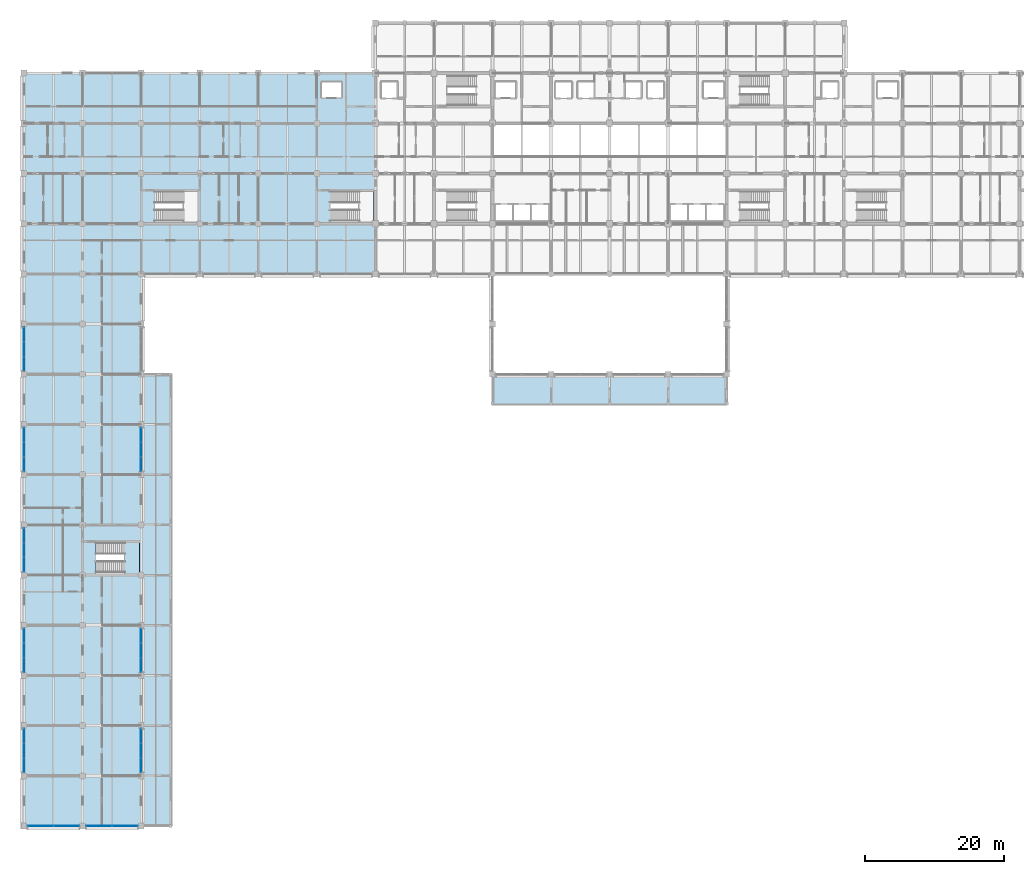
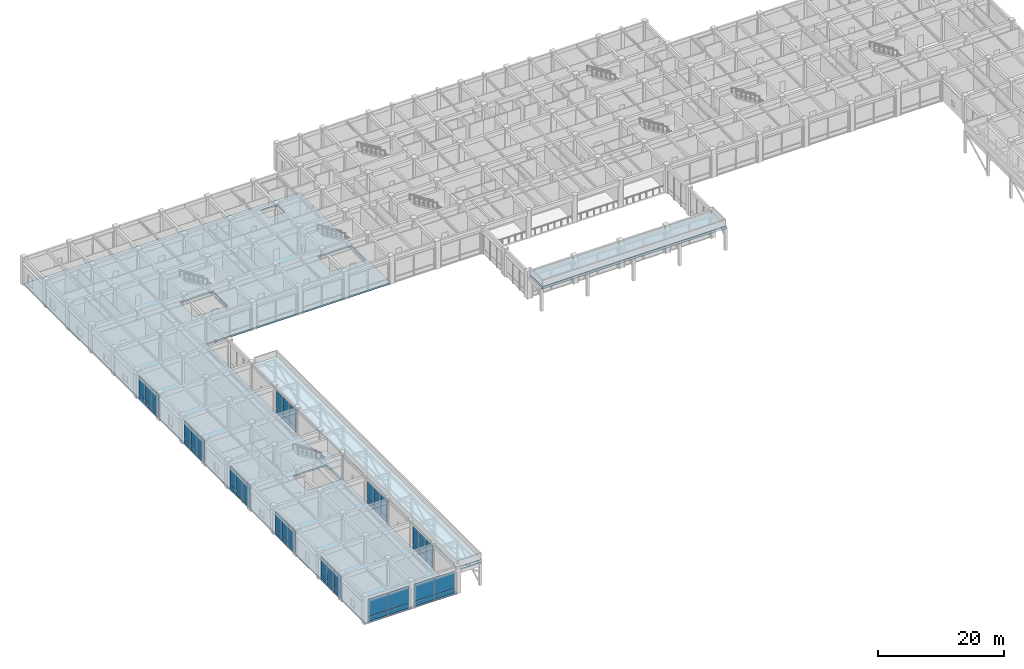
# One storey, part 29 of 68: 56 plates, 4 slabs, 11 elements without a shape of their own.
"""IFC4 building model written with IfcOpenShell, lengths in metres."""

from ifc_helpers import new_model, si_unit, direction, frame, origin, origin_2d, place, context, subcontext, project, spatial, polyline, rectangle, outline, extrude, material, layer, layer_set, type_object, element, aggregate, save


model = new_model("IFC4")

# Units and contexts
model_context = context("Model", 3, precision=1e-05, world=origin(), true_north=direction((0.0, 1.0)))
body_context = subcontext(model_context, "Body", "Model", "MODEL_VIEW")
ifc_project = project(units=[si_unit("LENGTHUNIT", "METRE"), si_unit("AREAUNIT", "SQUARE_METRE"), si_unit("VOLUMEUNIT", "CUBIC_METRE"), si_unit("PLANEANGLEUNIT", "RADIAN"), si_unit("MASSUNIT", "GRAM", prefix="KILO")], contexts=[model_context])

# Site, building, storey
site_placement = place(None, origin())
site = spatial("IfcSite", under=ifc_project, at=site_placement, CompositionType="ELEMENT")
building_placement = place(site_placement, origin())
building = spatial("IfcBuilding", under=site, at=building_placement, Name="Chengyuan Square Courthouse", CompositionType="ELEMENT")
storey_placement = place(building_placement, frame((0.0, 0.0, 5.39990234375)))
storey = spatial("IfcBuildingStorey", under=building, at=storey_placement, Name="L02", CompositionType="ELEMENT", Elevation=5.39990234375)

# Curtain wall, plates
ifc_material_1 = material(Name="Unitised Aluminium and Triple Low-E Glass", Category="aluminium")
ifc_layer_1 = layer(ifc_material_1, 0.219970703125)
ifc_layer_set_1 = layer_set([ifc_layer_1], Name="Unitised Aluminium and Triple Low-E Glass")
curtain_wall_type_1 = type_object("IfcCurtainWallType", Name="CW-04", PredefinedType="USERDEFINED", material=ifc_layer_set_1)
curtain_wall_1_placement = place(storey_placement, origin())
curtain_wall_1 = element("IfcCurtainWall", 1, at=curtain_wall_1_placement, inside=storey, type_object=curtain_wall_type_1, Name="Unitised Curtain Wall CW-L02-043", ObjectType="UNITISED CURTAIN WALL", PredefinedType="USERDEFINED")
ifc_material_2 = material(Name="Triple Low-E Insulating Glass", Category="glass")
ifc_layer_2 = layer(ifc_material_2, 0.052001953125)
ifc_layer_set_2 = layer_set([ifc_layer_2], Name="Triple Low-E Insulating Glass")
plate_type_1 = type_object("IfcPlateType", Name="CWP-04", PredefinedType="CURTAIN_PANEL", material=ifc_layer_set_2)
plate_1_placement = place(storey_placement, frame((2.33251953125, 0.0, 0.080078125), z_axis=(0.0, 0.0, 1.0), x_axis=(1.0, 0.0, 0.0)))
plate_1 = element("IfcPlate", 2, at=plate_1_placement, type_object=plate_type_1, Name="CW-04 panel 1.1", PredefinedType="CURTAIN_PANEL", context=body_context, shape_type="SweptSolid", body=[
    extrude(rectangle(XDim=3.655029296875, YDim=0.052001953125, at=origin_2d()), origin(), (0.0, 0.0, 1.0), 0.830078125),
])
plate_2_placement = place(storey_placement, frame((2.33251953125, 0.0, 0.989990234375), z_axis=(0.0, 0.0, 1.0), x_axis=(1.0, 0.0, 0.0)))
plate_2 = element("IfcPlate", 3, at=plate_2_placement, type_object=plate_type_1, Name="CW-04 panel 1.2", PredefinedType="CURTAIN_PANEL", context=body_context, shape_type="SweptSolid", body=[
    extrude(rectangle(XDim=3.655029296875, YDim=0.052001953125, at=origin_2d()), origin(), (0.0, 0.0, 1.0), 3.330078125),
])
plate_3_placement = place(storey_placement, frame((6.0673828125, 0.0, 0.080078125), z_axis=(0.0, 0.0, 1.0), x_axis=(1.0, 0.0, 0.0)))
plate_3 = element("IfcPlate", 4, at=plate_3_placement, type_object=plate_type_1, Name="CW-04 panel 2.1", PredefinedType="CURTAIN_PANEL", context=body_context, shape_type="SweptSolid", body=[
    extrude(rectangle(XDim=3.655029296875, YDim=0.052001953125, at=origin_2d()), origin(), (0.0, 0.0, 1.0), 0.830078125),
])
plate_4_placement = place(storey_placement, frame((6.0673828125, 0.0, 0.989990234375), z_axis=(0.0, 0.0, 1.0), x_axis=(1.0, 0.0, 0.0)))
plate_4 = element("IfcPlate", 5, at=plate_4_placement, type_object=plate_type_1, Name="CW-04 panel 2.2", PredefinedType="CURTAIN_PANEL", context=body_context, shape_type="SweptSolid", body=[
    extrude(rectangle(XDim=3.655029296875, YDim=0.052001953125, at=origin_2d()), origin(), (0.0, 0.0, 1.0), 3.330078125),
])
aggregate(curtain_wall_1, [plate_1, plate_2, plate_3, plate_4])

curtain_wall_2_placement = place(storey_placement, origin())
curtain_wall_2 = element("IfcCurtainWall", 6, at=curtain_wall_2_placement, inside=storey, type_object=curtain_wall_type_1, Name="Unitised Curtain Wall CW-L02-049", ObjectType="UNITISED CURTAIN WALL", PredefinedType="USERDEFINED")
plate_5_placement = place(storey_placement, frame((10.732421875, 0.0, 0.080078125), z_axis=(0.0, 0.0, 1.0), x_axis=(1.0, 0.0, 0.0)))
plate_5 = element("IfcPlate", 7, at=plate_5_placement, type_object=plate_type_1, Name="CW-04 panel 1.1", PredefinedType="CURTAIN_PANEL", context=body_context, shape_type="SweptSolid", body=[
    extrude(rectangle(XDim=3.655029296875, YDim=0.052001953125, at=origin_2d()), origin(), (0.0, 0.0, 1.0), 0.830078125),
])
plate_6_placement = place(storey_placement, frame((10.732421875, 0.0, 0.989990234375), z_axis=(0.0, 0.0, 1.0), x_axis=(1.0, 0.0, 0.0)))
plate_6 = element("IfcPlate", 8, at=plate_6_placement, type_object=plate_type_1, Name="CW-04 panel 1.2", PredefinedType="CURTAIN_PANEL", context=body_context, shape_type="SweptSolid", body=[
    extrude(rectangle(XDim=3.655029296875, YDim=0.052001953125, at=origin_2d()), origin(), (0.0, 0.0, 1.0), 3.330078125),
])
plate_7_placement = place(storey_placement, frame((14.467529296875, 0.0, 0.080078125), z_axis=(0.0, 0.0, 1.0), x_axis=(1.0, 0.0, 0.0)))
plate_7 = element("IfcPlate", 9, at=plate_7_placement, type_object=plate_type_1, Name="CW-04 panel 2.1", PredefinedType="CURTAIN_PANEL", context=body_context, shape_type="SweptSolid", body=[
    extrude(rectangle(XDim=3.655029296875, YDim=0.052001953125, at=origin_2d()), origin(), (0.0, 0.0, 1.0), 0.830078125),
])
plate_8_placement = place(storey_placement, frame((14.467529296875, 0.0, 0.989990234375), z_axis=(0.0, 0.0, 1.0), x_axis=(1.0, 0.0, 0.0)))
plate_8 = element("IfcPlate", 10, at=plate_8_placement, type_object=plate_type_1, Name="CW-04 panel 2.2", PredefinedType="CURTAIN_PANEL", context=body_context, shape_type="SweptSolid", body=[
    extrude(rectangle(XDim=3.655029296875, YDim=0.052001953125, at=origin_2d()), origin(), (0.0, 0.0, 1.0), 3.330078125),
])
aggregate(curtain_wall_2, [plate_5, plate_6, plate_7, plate_8])

ifc_layer_3 = layer(ifc_material_1, 0.159912109375)
ifc_layer_set_3 = layer_set([ifc_layer_3], Name="Unitised Aluminium and Triple Low-E Glass")
curtain_wall_type_2 = type_object("IfcCurtainWallType", Name="CW-17", PredefinedType="USERDEFINED", material=ifc_layer_set_3)
curtain_wall_3_placement = place(storey_placement, origin())
curtain_wall_3 = element("IfcCurtainWall", 11, at=curtain_wall_3_placement, inside=storey, type_object=curtain_wall_type_2, Name="Unitised Curtain Wall CW-L02-044", ObjectType="UNITISED CURTAIN WALL", PredefinedType="USERDEFINED")
ifc_layer_4 = layer(ifc_material_2, 0.06201171875)
ifc_layer_set_4 = layer_set([ifc_layer_4], Name="Triple Low-E Insulating Glass")
plate_type_2 = type_object("IfcPlateType", Name="CWP-05", PredefinedType="CURTAIN_PANEL", material=ifc_layer_set_4)
plate_9_placement = place(storey_placement, frame((0.0, 8.6982421875, 0.06005859375), z_axis=(0.0, 0.0, 1.0), x_axis=(0.0, 1.0, 0.0)))
plate_9 = element("IfcPlate", 12, at=plate_9_placement, type_object=plate_type_2, Name="CW-17 panel 1.1", PredefinedType="CURTAIN_PANEL", context=body_context, shape_type="SweptSolid", body=[
    extrude(rectangle(XDim=2.026611328125, YDim=0.06201171875, at=origin_2d()), origin(), (0.0, 0.0, 1.0), 0.860107421875),
])
plate_10_placement = place(storey_placement, frame((0.0, 8.6982421875, 0.97998046875), z_axis=(0.0, 0.0, 1.0), x_axis=(0.0, 1.0, 0.0)))
plate_10 = element("IfcPlate", 13, at=plate_10_placement, type_object=plate_type_2, Name="CW-17 panel 1.2", PredefinedType="CURTAIN_PANEL", context=body_context, shape_type="SweptSolid", body=[
    extrude(rectangle(XDim=2.026611328125, YDim=0.06201171875, at=origin_2d()), origin(), (0.0, 0.0, 1.0), 3.360107421875),
])
plate_11_placement = place(storey_placement, frame((0.0, 10.800048828125, 0.06005859375), z_axis=(0.0, 0.0, 1.0), x_axis=(0.0, 1.0, 0.0)))
plate_11 = element("IfcPlate", 14, at=plate_11_placement, type_object=plate_type_2, Name="CW-17 panel 2.1", PredefinedType="CURTAIN_PANEL", context=body_context, shape_type="SweptSolid", body=[
    extrude(rectangle(XDim=2.056640625, YDim=0.06201171875, at=origin_2d()), origin(), (0.0, 0.0, 1.0), 0.860107421875),
])
plate_12_placement = place(storey_placement, frame((0.0, 10.800048828125, 0.97998046875), z_axis=(0.0, 0.0, 1.0), x_axis=(0.0, 1.0, 0.0)))
plate_12 = element("IfcPlate", 15, at=plate_12_placement, type_object=plate_type_2, Name="CW-17 panel 2.2", PredefinedType="CURTAIN_PANEL", context=body_context, shape_type="SweptSolid", body=[
    extrude(rectangle(XDim=2.056640625, YDim=0.06201171875, at=origin_2d()), origin(), (0.0, 0.0, 1.0), 3.360107421875),
])
plate_13_placement = place(storey_placement, frame((0.0, 12.901611328125, 0.06005859375), z_axis=(0.0, 0.0, 1.0), x_axis=(0.0, 1.0, 0.0)))
plate_13 = element("IfcPlate", 16, at=plate_13_placement, type_object=plate_type_2, Name="CW-17 panel 3.1", PredefinedType="CURTAIN_PANEL", context=body_context, shape_type="SweptSolid", body=[
    extrude(rectangle(XDim=2.026611328125, YDim=0.06201171875, at=origin_2d()), origin(), (0.0, 0.0, 1.0), 0.860107421875),
])
plate_14_placement = place(storey_placement, frame((0.0, 12.901611328125, 0.97998046875), z_axis=(0.0, 0.0, 1.0), x_axis=(0.0, 1.0, 0.0)))
plate_14 = element("IfcPlate", 17, at=plate_14_placement, type_object=plate_type_2, Name="CW-17 panel 3.2", PredefinedType="CURTAIN_PANEL", context=body_context, shape_type="SweptSolid", body=[
    extrude(rectangle(XDim=2.026611328125, YDim=0.06201171875, at=origin_2d()), origin(), (0.0, 0.0, 1.0), 3.360107421875),
])
aggregate(curtain_wall_3, [plate_9, plate_10, plate_11, plate_12, plate_13, plate_14])

curtain_wall_4_placement = place(storey_placement, origin())
curtain_wall_4 = element("IfcCurtainWall", 18, at=curtain_wall_4_placement, inside=storey, type_object=curtain_wall_type_2, Name="Unitised Curtain Wall CW-L02-045", ObjectType="UNITISED CURTAIN WALL", PredefinedType="USERDEFINED")
plate_15_placement = place(storey_placement, frame((0.0, 23.098388671875, 0.06005859375), z_axis=(0.0, 0.0, 1.0), x_axis=(0.0, 1.0, 0.0)))
plate_15 = element("IfcPlate", 19, at=plate_15_placement, type_object=plate_type_2, Name="CW-17 panel 1.1", PredefinedType="CURTAIN_PANEL", context=body_context, shape_type="SweptSolid", body=[
    extrude(rectangle(XDim=2.026611328125, YDim=0.06201171875, at=origin_2d()), origin(), (0.0, 0.0, 1.0), 0.860107421875),
])
plate_16_placement = place(storey_placement, frame((0.0, 23.098388671875, 0.97998046875), z_axis=(0.0, 0.0, 1.0), x_axis=(0.0, 1.0, 0.0)))
plate_16 = element("IfcPlate", 20, at=plate_16_placement, type_object=plate_type_2, Name="CW-17 panel 1.2", PredefinedType="CURTAIN_PANEL", context=body_context, shape_type="SweptSolid", body=[
    extrude(rectangle(XDim=2.026611328125, YDim=0.06201171875, at=origin_2d()), origin(), (0.0, 0.0, 1.0), 3.360107421875),
])
plate_17_placement = place(storey_placement, frame((0.0, 25.199951171875, 0.06005859375), z_axis=(0.0, 0.0, 1.0), x_axis=(0.0, 1.0, 0.0)))
plate_17 = element("IfcPlate", 21, at=plate_17_placement, type_object=plate_type_2, Name="CW-17 panel 2.1", PredefinedType="CURTAIN_PANEL", context=body_context, shape_type="SweptSolid", body=[
    extrude(rectangle(XDim=2.056640625, YDim=0.06201171875, at=origin_2d()), origin(), (0.0, 0.0, 1.0), 0.860107421875),
])
plate_18_placement = place(storey_placement, frame((0.0, 25.199951171875, 0.97998046875), z_axis=(0.0, 0.0, 1.0), x_axis=(0.0, 1.0, 0.0)))
plate_18 = element("IfcPlate", 22, at=plate_18_placement, type_object=plate_type_2, Name="CW-17 panel 2.2", PredefinedType="CURTAIN_PANEL", context=body_context, shape_type="SweptSolid", body=[
    extrude(rectangle(XDim=2.056640625, YDim=0.06201171875, at=origin_2d()), origin(), (0.0, 0.0, 1.0), 3.360107421875),
])
plate_19_placement = place(storey_placement, frame((0.0, 27.3017578125, 0.06005859375), z_axis=(0.0, 0.0, 1.0), x_axis=(0.0, 1.0, 0.0)))
plate_19 = element("IfcPlate", 23, at=plate_19_placement, type_object=plate_type_2, Name="CW-17 panel 3.1", PredefinedType="CURTAIN_PANEL", context=body_context, shape_type="SweptSolid", body=[
    extrude(rectangle(XDim=2.026611328125, YDim=0.06201171875, at=origin_2d()), origin(), (0.0, 0.0, 1.0), 0.860107421875),
])
plate_20_placement = place(storey_placement, frame((0.0, 27.3017578125, 0.97998046875), z_axis=(0.0, 0.0, 1.0), x_axis=(0.0, 1.0, 0.0)))
plate_20 = element("IfcPlate", 24, at=plate_20_placement, type_object=plate_type_2, Name="CW-17 panel 3.2", PredefinedType="CURTAIN_PANEL", context=body_context, shape_type="SweptSolid", body=[
    extrude(rectangle(XDim=2.026611328125, YDim=0.06201171875, at=origin_2d()), origin(), (0.0, 0.0, 1.0), 3.360107421875),
])
aggregate(curtain_wall_4, [plate_15, plate_16, plate_17, plate_18, plate_19, plate_20])

curtain_wall_5_placement = place(storey_placement, origin())
curtain_wall_5 = element("IfcCurtainWall", 25, at=curtain_wall_5_placement, inside=storey, type_object=curtain_wall_type_2, Name="Unitised Curtain Wall CW-L02-046", ObjectType="UNITISED CURTAIN WALL", PredefinedType="USERDEFINED")
plate_21_placement = place(storey_placement, frame((0.0, 37.498291015625, 0.06005859375), z_axis=(0.0, 0.0, 1.0), x_axis=(0.0, 1.0, 0.0)))
plate_21 = element("IfcPlate", 26, at=plate_21_placement, type_object=plate_type_2, Name="CW-17 panel 1.1", PredefinedType="CURTAIN_PANEL", context=body_context, shape_type="SweptSolid", body=[
    extrude(rectangle(XDim=2.026611328125, YDim=0.06201171875, at=origin_2d()), origin(), (0.0, 0.0, 1.0), 0.860107421875),
])
plate_22_placement = place(storey_placement, frame((0.0, 37.498291015625, 0.97998046875), z_axis=(0.0, 0.0, 1.0), x_axis=(0.0, 1.0, 0.0)))
plate_22 = element("IfcPlate", 27, at=plate_22_placement, type_object=plate_type_2, Name="CW-17 panel 1.2", PredefinedType="CURTAIN_PANEL", context=body_context, shape_type="SweptSolid", body=[
    extrude(rectangle(XDim=2.026611328125, YDim=0.06201171875, at=origin_2d()), origin(), (0.0, 0.0, 1.0), 3.429931640625),
])
plate_23_placement = place(storey_placement, frame((0.0, 39.60009765625, 0.06005859375), z_axis=(0.0, 0.0, 1.0), x_axis=(0.0, 1.0, 0.0)))
plate_23 = element("IfcPlate", 28, at=plate_23_placement, type_object=plate_type_2, Name="CW-17 panel 2.1", PredefinedType="CURTAIN_PANEL", context=body_context, shape_type="SweptSolid", body=[
    extrude(rectangle(XDim=2.056640625, YDim=0.06201171875, at=origin_2d()), origin(), (0.0, 0.0, 1.0), 0.860107421875),
])
plate_24_placement = place(storey_placement, frame((0.0, 39.60009765625, 0.97998046875), z_axis=(0.0, 0.0, 1.0), x_axis=(0.0, 1.0, 0.0)))
plate_24 = element("IfcPlate", 29, at=plate_24_placement, type_object=plate_type_2, Name="CW-17 panel 2.2", PredefinedType="CURTAIN_PANEL", context=body_context, shape_type="SweptSolid", body=[
    extrude(rectangle(XDim=2.056640625, YDim=0.06201171875, at=origin_2d()), origin(), (0.0, 0.0, 1.0), 3.429931640625),
])
plate_25_placement = place(storey_placement, frame((0.0, 41.70166015625, 0.06005859375), z_axis=(0.0, 0.0, 1.0), x_axis=(0.0, 1.0, 0.0)))
plate_25 = element("IfcPlate", 30, at=plate_25_placement, type_object=plate_type_2, Name="CW-17 panel 3.1", PredefinedType="CURTAIN_PANEL", context=body_context, shape_type="SweptSolid", body=[
    extrude(rectangle(XDim=2.026611328125, YDim=0.06201171875, at=origin_2d()), origin(), (0.0, 0.0, 1.0), 0.860107421875),
])
plate_26_placement = place(storey_placement, frame((0.0, 41.70166015625, 0.97998046875), z_axis=(0.0, 0.0, 1.0), x_axis=(0.0, 1.0, 0.0)))
plate_26 = element("IfcPlate", 31, at=plate_26_placement, type_object=plate_type_2, Name="CW-17 panel 3.2", PredefinedType="CURTAIN_PANEL", context=body_context, shape_type="SweptSolid", body=[
    extrude(rectangle(XDim=2.026611328125, YDim=0.06201171875, at=origin_2d()), origin(), (0.0, 0.0, 1.0), 3.429931640625),
])
aggregate(curtain_wall_5, [plate_21, plate_22, plate_23, plate_24, plate_25, plate_26])

curtain_wall_6_placement = place(storey_placement, origin())
curtain_wall_6 = element("IfcCurtainWall", 32, at=curtain_wall_6_placement, inside=storey, type_object=curtain_wall_type_2, Name="Unitised Curtain Wall CW-L02-047", ObjectType="UNITISED CURTAIN WALL", PredefinedType="USERDEFINED")
plate_27_placement = place(storey_placement, frame((0.0, 51.8984375, 0.06005859375), z_axis=(0.0, 0.0, 1.0), x_axis=(0.0, 1.0, 0.0)))
plate_27 = element("IfcPlate", 33, at=plate_27_placement, type_object=plate_type_2, Name="CW-17 panel 1.1", PredefinedType="CURTAIN_PANEL", context=body_context, shape_type="SweptSolid", body=[
    extrude(rectangle(XDim=2.026611328125, YDim=0.06201171875, at=origin_2d()), origin(), (0.0, 0.0, 1.0), 0.860107421875),
])
plate_28_placement = place(storey_placement, frame((0.0, 51.8984375, 0.97998046875), z_axis=(0.0, 0.0, 1.0), x_axis=(0.0, 1.0, 0.0)))
plate_28 = element("IfcPlate", 34, at=plate_28_placement, type_object=plate_type_2, Name="CW-17 panel 1.2", PredefinedType="CURTAIN_PANEL", context=body_context, shape_type="SweptSolid", body=[
    extrude(rectangle(XDim=2.026611328125, YDim=0.06201171875, at=origin_2d()), origin(), (0.0, 0.0, 1.0), 3.429931640625),
])
plate_29_placement = place(storey_placement, frame((0.0, 54.0, 0.06005859375), z_axis=(0.0, 0.0, 1.0), x_axis=(0.0, 1.0, 0.0)))
plate_29 = element("IfcPlate", 35, at=plate_29_placement, type_object=plate_type_2, Name="CW-17 panel 2.1", PredefinedType="CURTAIN_PANEL", context=body_context, shape_type="SweptSolid", body=[
    extrude(rectangle(XDim=2.056640625, YDim=0.06201171875, at=origin_2d()), origin(), (0.0, 0.0, 1.0), 0.860107421875),
])
plate_30_placement = place(storey_placement, frame((0.0, 54.0, 0.97998046875), z_axis=(0.0, 0.0, 1.0), x_axis=(0.0, 1.0, 0.0)))
plate_30 = element("IfcPlate", 36, at=plate_30_placement, type_object=plate_type_2, Name="CW-17 panel 2.2", PredefinedType="CURTAIN_PANEL", context=body_context, shape_type="SweptSolid", body=[
    extrude(rectangle(XDim=2.056640625, YDim=0.06201171875, at=origin_2d()), origin(), (0.0, 0.0, 1.0), 3.429931640625),
])
plate_31_placement = place(storey_placement, frame((0.0, 56.1015625, 0.06005859375), z_axis=(0.0, 0.0, 1.0), x_axis=(0.0, 1.0, 0.0)))
plate_31 = element("IfcPlate", 37, at=plate_31_placement, type_object=plate_type_2, Name="CW-17 panel 3.1", PredefinedType="CURTAIN_PANEL", context=body_context, shape_type="SweptSolid", body=[
    extrude(rectangle(XDim=2.026611328125, YDim=0.06201171875, at=origin_2d()), origin(), (0.0, 0.0, 1.0), 0.860107421875),
])
plate_32_placement = place(storey_placement, frame((0.0, 56.1015625, 0.97998046875), z_axis=(0.0, 0.0, 1.0), x_axis=(0.0, 1.0, 0.0)))
plate_32 = element("IfcPlate", 38, at=plate_32_placement, type_object=plate_type_2, Name="CW-17 panel 3.2", PredefinedType="CURTAIN_PANEL", context=body_context, shape_type="SweptSolid", body=[
    extrude(rectangle(XDim=2.026611328125, YDim=0.06201171875, at=origin_2d()), origin(), (0.0, 0.0, 1.0), 3.429931640625),
])
aggregate(curtain_wall_6, [plate_27, plate_28, plate_29, plate_30, plate_31, plate_32])

curtain_wall_7_placement = place(storey_placement, origin())
curtain_wall_7 = element("IfcCurtainWall", 39, at=curtain_wall_7_placement, inside=storey, type_object=curtain_wall_type_2, Name="Unitised Curtain Wall CW-L02-048", ObjectType="UNITISED CURTAIN WALL", PredefinedType="USERDEFINED")
plate_33_placement = place(storey_placement, frame((0.0, 66.29833984375, 0.06005859375), z_axis=(0.0, 0.0, 1.0), x_axis=(0.0, 1.0, 0.0)))
plate_33 = element("IfcPlate", 40, at=plate_33_placement, type_object=plate_type_2, Name="CW-17 panel 1.1", PredefinedType="CURTAIN_PANEL", context=body_context, shape_type="SweptSolid", body=[
    extrude(rectangle(XDim=2.026611328125, YDim=0.06201171875, at=origin_2d()), origin(), (0.0, 0.0, 1.0), 0.860107421875),
])
plate_34_placement = place(storey_placement, frame((0.0, 66.29833984375, 0.97998046875), z_axis=(0.0, 0.0, 1.0), x_axis=(0.0, 1.0, 0.0)))
plate_34 = element("IfcPlate", 41, at=plate_34_placement, type_object=plate_type_2, Name="CW-17 panel 1.2", PredefinedType="CURTAIN_PANEL", context=body_context, shape_type="SweptSolid", body=[
    extrude(rectangle(XDim=2.026611328125, YDim=0.06201171875, at=origin_2d()), origin(), (0.0, 0.0, 1.0), 3.429931640625),
])
plate_35_placement = place(storey_placement, frame((0.0, 68.39990234375, 0.06005859375), z_axis=(0.0, 0.0, 1.0), x_axis=(0.0, 1.0, 0.0)))
plate_35 = element("IfcPlate", 42, at=plate_35_placement, type_object=plate_type_2, Name="CW-17 panel 2.1", PredefinedType="CURTAIN_PANEL", context=body_context, shape_type="SweptSolid", body=[
    extrude(rectangle(XDim=2.056640625, YDim=0.06201171875, at=origin_2d()), origin(), (0.0, 0.0, 1.0), 0.860107421875),
])
plate_36_placement = place(storey_placement, frame((0.0, 68.39990234375, 0.97998046875), z_axis=(0.0, 0.0, 1.0), x_axis=(0.0, 1.0, 0.0)))
plate_36 = element("IfcPlate", 43, at=plate_36_placement, type_object=plate_type_2, Name="CW-17 panel 2.2", PredefinedType="CURTAIN_PANEL", context=body_context, shape_type="SweptSolid", body=[
    extrude(rectangle(XDim=2.056640625, YDim=0.06201171875, at=origin_2d()), origin(), (0.0, 0.0, 1.0), 3.429931640625),
])
plate_37_placement = place(storey_placement, frame((0.0, 70.501708984375, 0.06005859375), z_axis=(0.0, 0.0, 1.0), x_axis=(0.0, 1.0, 0.0)))
plate_37 = element("IfcPlate", 44, at=plate_37_placement, type_object=plate_type_2, Name="CW-17 panel 3.1", PredefinedType="CURTAIN_PANEL", context=body_context, shape_type="SweptSolid", body=[
    extrude(rectangle(XDim=2.026611328125, YDim=0.06201171875, at=origin_2d()), origin(), (0.0, 0.0, 1.0), 0.860107421875),
])
plate_38_placement = place(storey_placement, frame((0.0, 70.501708984375, 0.97998046875), z_axis=(0.0, 0.0, 1.0), x_axis=(0.0, 1.0, 0.0)))
plate_38 = element("IfcPlate", 45, at=plate_38_placement, type_object=plate_type_2, Name="CW-17 panel 3.2", PredefinedType="CURTAIN_PANEL", context=body_context, shape_type="SweptSolid", body=[
    extrude(rectangle(XDim=2.026611328125, YDim=0.06201171875, at=origin_2d()), origin(), (0.0, 0.0, 1.0), 3.429931640625),
])
aggregate(curtain_wall_7, [plate_33, plate_34, plate_35, plate_36, plate_37, plate_38])

curtain_wall_8_placement = place(storey_placement, origin())
curtain_wall_8 = element("IfcCurtainWall", 46, at=curtain_wall_8_placement, inside=storey, type_object=curtain_wall_type_2, Name="Unitised Curtain Wall CW-L02-050", ObjectType="UNITISED CURTAIN WALL", PredefinedType="USERDEFINED")
plate_39_placement = place(storey_placement, frame((16.800048828125, 8.6982421875, 0.06005859375), z_axis=(0.0, 0.0, 1.0), x_axis=(0.0, 1.0, 0.0)))
plate_39 = element("IfcPlate", 47, at=plate_39_placement, type_object=plate_type_2, Name="CW-17 panel 1.1", PredefinedType="CURTAIN_PANEL", context=body_context, shape_type="SweptSolid", body=[
    extrude(rectangle(XDim=2.026611328125, YDim=0.06201171875, at=origin_2d()), origin(), (0.0, 0.0, 1.0), 0.860107421875),
])
plate_40_placement = place(storey_placement, frame((16.800048828125, 8.6982421875, 0.97998046875), z_axis=(0.0, 0.0, 1.0), x_axis=(0.0, 1.0, 0.0)))
plate_40 = element("IfcPlate", 48, at=plate_40_placement, type_object=plate_type_2, Name="CW-17 panel 1.2", PredefinedType="CURTAIN_PANEL", context=body_context, shape_type="SweptSolid", body=[
    extrude(rectangle(XDim=2.026611328125, YDim=0.06201171875, at=origin_2d()), origin(), (0.0, 0.0, 1.0), 3.360107421875),
])
plate_41_placement = place(storey_placement, frame((16.800048828125, 10.800048828125, 0.06005859375), z_axis=(0.0, 0.0, 1.0), x_axis=(0.0, 1.0, 0.0)))
plate_41 = element("IfcPlate", 49, at=plate_41_placement, type_object=plate_type_2, Name="CW-17 panel 2.1", PredefinedType="CURTAIN_PANEL", context=body_context, shape_type="SweptSolid", body=[
    extrude(rectangle(XDim=2.056640625, YDim=0.06201171875, at=origin_2d()), origin(), (0.0, 0.0, 1.0), 0.860107421875),
])
plate_42_placement = place(storey_placement, frame((16.800048828125, 10.800048828125, 0.97998046875), z_axis=(0.0, 0.0, 1.0), x_axis=(0.0, 1.0, 0.0)))
plate_42 = element("IfcPlate", 50, at=plate_42_placement, type_object=plate_type_2, Name="CW-17 panel 2.2", PredefinedType="CURTAIN_PANEL", context=body_context, shape_type="SweptSolid", body=[
    extrude(rectangle(XDim=2.056640625, YDim=0.06201171875, at=origin_2d()), origin(), (0.0, 0.0, 1.0), 3.360107421875),
])
plate_43_placement = place(storey_placement, frame((16.800048828125, 12.901611328125, 0.06005859375), z_axis=(0.0, 0.0, 1.0), x_axis=(0.0, 1.0, 0.0)))
plate_43 = element("IfcPlate", 51, at=plate_43_placement, type_object=plate_type_2, Name="CW-17 panel 3.1", PredefinedType="CURTAIN_PANEL", context=body_context, shape_type="SweptSolid", body=[
    extrude(rectangle(XDim=2.026611328125, YDim=0.06201171875, at=origin_2d()), origin(), (0.0, 0.0, 1.0), 0.860107421875),
])
plate_44_placement = place(storey_placement, frame((16.800048828125, 12.901611328125, 0.97998046875), z_axis=(0.0, 0.0, 1.0), x_axis=(0.0, 1.0, 0.0)))
plate_44 = element("IfcPlate", 52, at=plate_44_placement, type_object=plate_type_2, Name="CW-17 panel 3.2", PredefinedType="CURTAIN_PANEL", context=body_context, shape_type="SweptSolid", body=[
    extrude(rectangle(XDim=2.026611328125, YDim=0.06201171875, at=origin_2d()), origin(), (0.0, 0.0, 1.0), 3.360107421875),
])
aggregate(curtain_wall_8, [plate_39, plate_40, plate_41, plate_42, plate_43, plate_44])

curtain_wall_9_placement = place(storey_placement, origin())
curtain_wall_9 = element("IfcCurtainWall", 53, at=curtain_wall_9_placement, inside=storey, type_object=curtain_wall_type_2, Name="Unitised Curtain Wall CW-L02-051", ObjectType="UNITISED CURTAIN WALL", PredefinedType="USERDEFINED")
plate_45_placement = place(storey_placement, frame((16.800048828125, 23.098388671875, 0.06005859375), z_axis=(0.0, 0.0, 1.0), x_axis=(0.0, 1.0, 0.0)))
plate_45 = element("IfcPlate", 54, at=plate_45_placement, type_object=plate_type_2, Name="CW-17 panel 1.1", PredefinedType="CURTAIN_PANEL", context=body_context, shape_type="SweptSolid", body=[
    extrude(rectangle(XDim=2.026611328125, YDim=0.06201171875, at=origin_2d()), origin(), (0.0, 0.0, 1.0), 0.860107421875),
])
plate_46_placement = place(storey_placement, frame((16.800048828125, 23.098388671875, 0.97998046875), z_axis=(0.0, 0.0, 1.0), x_axis=(0.0, 1.0, 0.0)))
plate_46 = element("IfcPlate", 55, at=plate_46_placement, type_object=plate_type_2, Name="CW-17 panel 1.2", PredefinedType="CURTAIN_PANEL", context=body_context, shape_type="SweptSolid", body=[
    extrude(rectangle(XDim=2.026611328125, YDim=0.06201171875, at=origin_2d()), origin(), (0.0, 0.0, 1.0), 3.360107421875),
])
plate_47_placement = place(storey_placement, frame((16.800048828125, 25.199951171875, 0.06005859375), z_axis=(0.0, 0.0, 1.0), x_axis=(0.0, 1.0, 0.0)))
plate_47 = element("IfcPlate", 56, at=plate_47_placement, type_object=plate_type_2, Name="CW-17 panel 2.1", PredefinedType="CURTAIN_PANEL", context=body_context, shape_type="SweptSolid", body=[
    extrude(rectangle(XDim=2.056640625, YDim=0.06201171875, at=origin_2d()), origin(), (0.0, 0.0, 1.0), 0.860107421875),
])
plate_48_placement = place(storey_placement, frame((16.800048828125, 25.199951171875, 0.97998046875), z_axis=(0.0, 0.0, 1.0), x_axis=(0.0, 1.0, 0.0)))
plate_48 = element("IfcPlate", 57, at=plate_48_placement, type_object=plate_type_2, Name="CW-17 panel 2.2", PredefinedType="CURTAIN_PANEL", context=body_context, shape_type="SweptSolid", body=[
    extrude(rectangle(XDim=2.056640625, YDim=0.06201171875, at=origin_2d()), origin(), (0.0, 0.0, 1.0), 3.360107421875),
])
plate_49_placement = place(storey_placement, frame((16.800048828125, 27.3017578125, 0.06005859375), z_axis=(0.0, 0.0, 1.0), x_axis=(0.0, 1.0, 0.0)))
plate_49 = element("IfcPlate", 58, at=plate_49_placement, type_object=plate_type_2, Name="CW-17 panel 3.1", PredefinedType="CURTAIN_PANEL", context=body_context, shape_type="SweptSolid", body=[
    extrude(rectangle(XDim=2.026611328125, YDim=0.06201171875, at=origin_2d()), origin(), (0.0, 0.0, 1.0), 0.860107421875),
])
plate_50_placement = place(storey_placement, frame((16.800048828125, 27.3017578125, 0.97998046875), z_axis=(0.0, 0.0, 1.0), x_axis=(0.0, 1.0, 0.0)))
plate_50 = element("IfcPlate", 59, at=plate_50_placement, type_object=plate_type_2, Name="CW-17 panel 3.2", PredefinedType="CURTAIN_PANEL", context=body_context, shape_type="SweptSolid", body=[
    extrude(rectangle(XDim=2.026611328125, YDim=0.06201171875, at=origin_2d()), origin(), (0.0, 0.0, 1.0), 3.360107421875),
])
aggregate(curtain_wall_9, [plate_45, plate_46, plate_47, plate_48, plate_49, plate_50])

curtain_wall_10_placement = place(storey_placement, origin())
curtain_wall_10 = element("IfcCurtainWall", 60, at=curtain_wall_10_placement, inside=storey, type_object=curtain_wall_type_2, Name="Unitised Curtain Wall CW-L02-052", ObjectType="UNITISED CURTAIN WALL", PredefinedType="USERDEFINED")
plate_51_placement = place(storey_placement, frame((16.800048828125, 51.8984375, 0.06005859375), z_axis=(0.0, 0.0, 1.0), x_axis=(0.0, 1.0, 0.0)))
plate_51 = element("IfcPlate", 61, at=plate_51_placement, type_object=plate_type_2, Name="CW-17 panel 1.1", PredefinedType="CURTAIN_PANEL", context=body_context, shape_type="SweptSolid", body=[
    extrude(rectangle(XDim=2.026611328125, YDim=0.06201171875, at=origin_2d()), origin(), (0.0, 0.0, 1.0), 0.860107421875),
])
plate_52_placement = place(storey_placement, frame((16.800048828125, 51.8984375, 0.97998046875), z_axis=(0.0, 0.0, 1.0), x_axis=(0.0, 1.0, 0.0)))
plate_52 = element("IfcPlate", 62, at=plate_52_placement, type_object=plate_type_2, Name="CW-17 panel 1.2", PredefinedType="CURTAIN_PANEL", context=body_context, shape_type="SweptSolid", body=[
    extrude(rectangle(XDim=2.026611328125, YDim=0.06201171875, at=origin_2d()), origin(), (0.0, 0.0, 1.0), 3.429931640625),
])
plate_53_placement = place(storey_placement, frame((16.800048828125, 54.0, 0.06005859375), z_axis=(0.0, 0.0, 1.0), x_axis=(0.0, 1.0, 0.0)))
plate_53 = element("IfcPlate", 63, at=plate_53_placement, type_object=plate_type_2, Name="CW-17 panel 2.1", PredefinedType="CURTAIN_PANEL", context=body_context, shape_type="SweptSolid", body=[
    extrude(rectangle(XDim=2.056640625, YDim=0.06201171875, at=origin_2d()), origin(), (0.0, 0.0, 1.0), 0.860107421875),
])
plate_54_placement = place(storey_placement, frame((16.800048828125, 54.0, 0.97998046875), z_axis=(0.0, 0.0, 1.0), x_axis=(0.0, 1.0, 0.0)))
plate_54 = element("IfcPlate", 64, at=plate_54_placement, type_object=plate_type_2, Name="CW-17 panel 2.2", PredefinedType="CURTAIN_PANEL", context=body_context, shape_type="SweptSolid", body=[
    extrude(rectangle(XDim=2.056640625, YDim=0.06201171875, at=origin_2d()), origin(), (0.0, 0.0, 1.0), 3.429931640625),
])
plate_55_placement = place(storey_placement, frame((16.800048828125, 56.1015625, 0.06005859375), z_axis=(0.0, 0.0, 1.0), x_axis=(0.0, 1.0, 0.0)))
plate_55 = element("IfcPlate", 65, at=plate_55_placement, type_object=plate_type_2, Name="CW-17 panel 3.1", PredefinedType="CURTAIN_PANEL", context=body_context, shape_type="SweptSolid", body=[
    extrude(rectangle(XDim=2.026611328125, YDim=0.06201171875, at=origin_2d()), origin(), (0.0, 0.0, 1.0), 0.860107421875),
])
plate_56_placement = place(storey_placement, frame((16.800048828125, 56.1015625, 0.97998046875), z_axis=(0.0, 0.0, 1.0), x_axis=(0.0, 1.0, 0.0)))
plate_56 = element("IfcPlate", 66, at=plate_56_placement, type_object=plate_type_2, Name="CW-17 panel 3.2", PredefinedType="CURTAIN_PANEL", context=body_context, shape_type="SweptSolid", body=[
    extrude(rectangle(XDim=2.026611328125, YDim=0.06201171875, at=origin_2d()), origin(), (0.0, 0.0, 1.0), 3.429931640625),
])
aggregate(curtain_wall_10, [plate_51, plate_52, plate_53, plate_54, plate_55, plate_56])

# Slabs
ifc_material_3 = material(Name="Concrete C40", Category="concrete")
ifc_layer_5 = layer(ifc_material_3, 0.5)
ifc_layer_set_5 = layer_set([ifc_layer_5], Name="Concrete C40")
slab_type_1 = type_object("IfcSlabType", Name="SL-COL", PredefinedType="ROOF", material=ifc_layer_set_5)
slab_1_placement = place(storey_placement, frame((0.0, 0.0, 4.300048828125)))
element("IfcSlab", 67, at=slab_1_placement, inside=storey, type_object=slab_type_1, Name="Civic Colonnade Canopy Slab SL-COL-W", PredefinedType="ROOF", context=body_context, shape_type="SweptSolid", body=[
    extrude(outline(polyline([(16.800048828125, 0.0), (21.300048828125, 0.0), (21.300048828125, 64.800048828125), (16.800048828125, 64.800048828125), (16.800048828125, 0.0)])), origin(), (0.0, 0.0, 1.0), 0.5),
])
slab_2_placement = place(storey_placement, frame((0.0, 0.0, 4.300048828125)))
element("IfcSlab", 68, at=slab_2_placement, inside=storey, type_object=slab_type_1, Name="Civic Colonnade Canopy Slab SL-COL-N", PredefinedType="ROOF", context=body_context, shape_type="SweptSolid", body=[
    extrude(outline(polyline([(67.199951171875, 60.300048828125), (100.800048828125, 60.300048828125), (100.800048828125, 64.800048828125), (67.199951171875, 64.800048828125), (67.199951171875, 60.300048828125)])), origin(), (0.0, 0.0, 1.0), 0.5),
])

# Stair, slab
stair_type = type_object("IfcStairType", Name="ST-TYPE-07", PredefinedType="HALF_TURN_STAIR", material=ifc_material_3)
stair_placement = place(storey_placement, origin())
stair = element("IfcStair", 69, at=stair_placement, inside=storey, type_object=stair_type, Name="Smoke-Proof Exit Stair ST-7 (L02 to L03)", PredefinedType="HALF_TURN_STAIR")
ifc_layer_6 = layer(ifc_material_3, 0.18994140625)
ifc_layer_set_6 = layer_set([ifc_layer_6], Name="Concrete C40")
slab_type_2 = type_object("IfcSlabType", Name="SL-LND1", PredefinedType="LANDING", material=ifc_layer_set_6)
slab_3_placement = place(storey_placement, frame((0.0, 0.0, 2.510009765625)))
slab_3 = element("IfcSlab", 70, at=slab_3_placement, type_object=slab_type_2, Name="ST-7 landing 1", PredefinedType="LANDING", context=body_context, shape_type="SweptSolid", body=[
    extrude(outline(polyline([(14.330078125, 36.159912109375), (16.5400390625, 36.159912109375), (16.5400390625, 40.840087890625), (14.330078125, 40.840087890625), (14.330078125, 36.159912109375)])), origin(), (0.0, 0.0, 1.0), 0.190185546875),
])
aggregate(stair, [slab_3])

# Slab
ifc_material_4 = material(Name="Post-tensioned Concrete C50", Category="concrete")
ifc_layer_7 = layer(ifc_material_4, 0.280029296875)
ifc_layer_set_7 = layer_set([ifc_layer_7], Name="Post-tensioned Concrete C50")
slab_type_3 = type_object("IfcSlabType", Name="SL-PT28", PredefinedType="FLOOR", material=ifc_layer_set_7)
slab_4_placement = place(storey_placement, frame((0.0, 0.0, -0.27978515625)))
element("IfcSlab", 71, at=slab_4_placement, inside=storey, type_object=slab_type_3, Name="Suspended Floor Slab SL-L02-01", PredefinedType="FLOOR", context=body_context, shape_type="SweptSolid", body=[
    extrude(outline(polyline([(0.0, 36.0), (0.0, 43.199951171875), (0.0, 50.39990234375), (0.0, 57.60009765625), (0.0, 64.800048828125), (0.0, 72.0), (0.0, 79.199951171875), (0.0, 86.39990234375), (0.0, 93.60009765625), (0.0, 100.800048828125), (0.0, 108.0), (8.39990234375, 108.0), (16.800048828125, 108.0), (25.199951171875, 108.0), (33.60009765625, 108.0), (42.0, 108.0), (50.39990234375, 108.0), (50.39990234375, 79.199951171875), (42.0, 79.199951171875), (33.60009765625, 79.199951171875), (25.199951171875, 79.199951171875), (16.800048828125, 79.199951171875), (16.800048828125, 72.0), (16.800048828125, 64.800048828125), (16.800048828125, 57.60009765625), (16.800048828125, 50.39990234375), (16.800048828125, 43.199951171875), (16.800048828125, 36.0), (16.800048828125, 28.800048828125), (16.800048828125, 21.60009765625), (16.800048828125, 14.39990234375), (16.800048828125, 7.199951171875), (16.800048828125, 0.0), (8.39990234375, 0.0), (0.0, 0.0), (0.0, 7.199951171875), (0.0, 14.39990234375), (0.0, 21.60009765625), (0.0, 28.800048828125), (0.0, 36.0)]), holes=[polyline([(10.35009765625, 40.800048828125), (10.35009765625, 36.199951171875), (16.5, 36.199951171875), (16.5, 40.800048828125), (10.35009765625, 40.800048828125)]), polyline([(24.89990234375, 91.199951171875), (18.75, 91.199951171875), (18.75, 86.60009765625), (24.89990234375, 86.60009765625), (24.89990234375, 91.199951171875)]), polyline([(50.10009765625, 91.199951171875), (43.949951171875, 91.199951171875), (43.949951171875, 86.60009765625), (50.10009765625, 86.60009765625), (50.10009765625, 91.199951171875)]), polyline([(45.60009765625, 106.800048828125), (42.60009765625, 106.800048828125), (42.60009765625, 104.39990234375), (45.60009765625, 104.39990234375), (45.60009765625, 106.800048828125)])]), origin(), (0.0, 0.0, 1.0), 0.27978515625),
])

save(model, "model.ifc")
